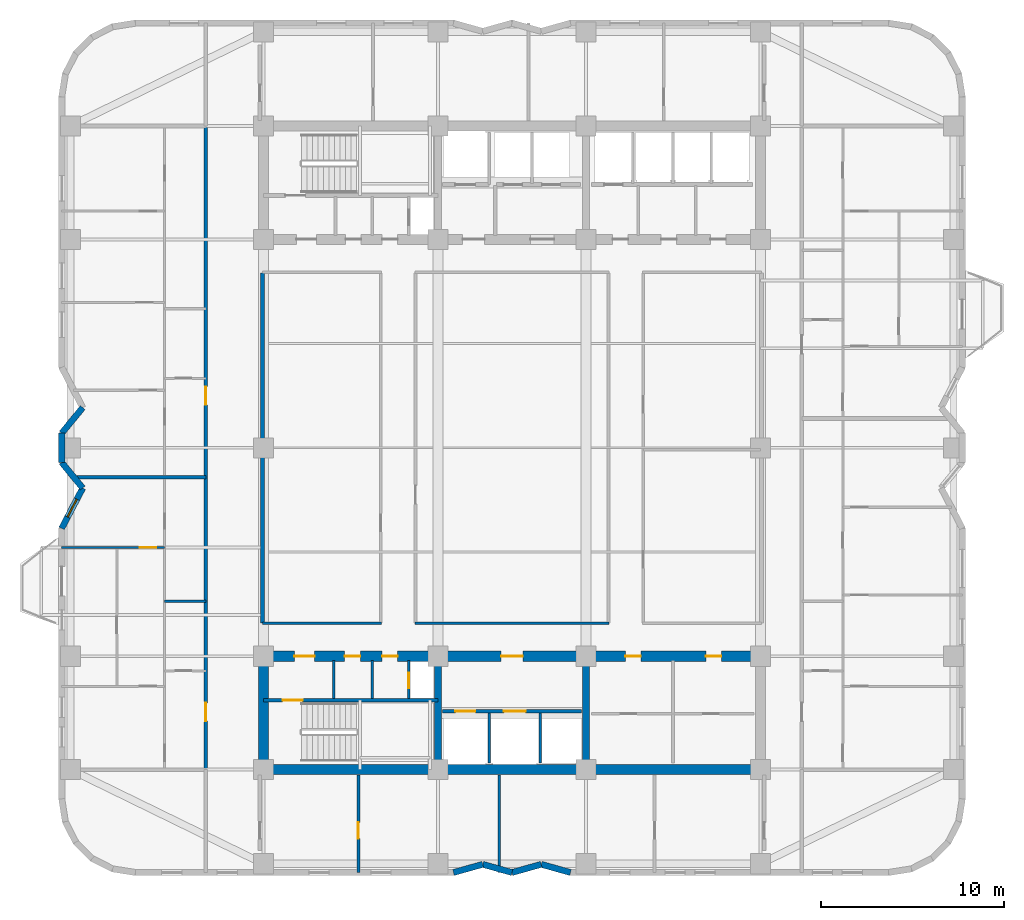
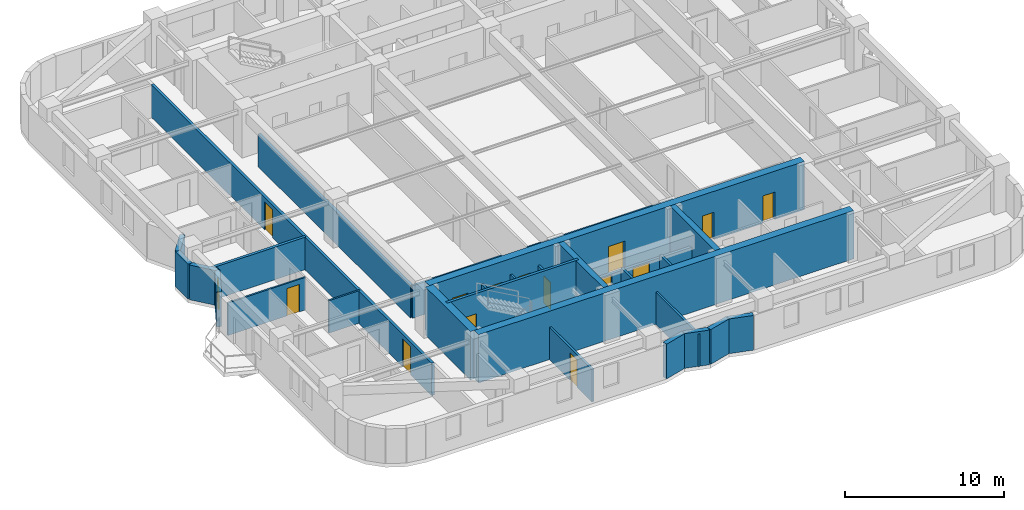
# One storey, part 3 of 10: 29 walls, 14 doors, 1 window, 15 openings.
"""IFC4 building model written with IfcOpenShell, lengths in metres."""

from ifc_helpers import new_model, si_unit, direction, frame, frame_2d, origin, place, context, subcontext, project, spatial, rectangle, extrude, material, layer, layer_set, type_object, element, fill, save


model = new_model("IFC4")

# Units and contexts
model_context = context("Model", 3, precision=1e-05, world=origin(), true_north=direction((0.0, 1.0)))
body_context = subcontext(model_context, "Body", "Model", "MODEL_VIEW")
ifc_project = project(units=[si_unit("LENGTHUNIT", "METRE"), si_unit("AREAUNIT", "SQUARE_METRE"), si_unit("VOLUMEUNIT", "CUBIC_METRE"), si_unit("PLANEANGLEUNIT", "RADIAN"), si_unit("MASSUNIT", "GRAM", prefix="KILO")], contexts=[model_context])

# Site, building, storey
site_placement = place(None, origin())
site = spatial("IfcSite", under=ifc_project, at=site_placement, CompositionType="ELEMENT")
building_placement = place(site_placement, origin())
building = spatial("IfcBuilding", under=site, at=building_placement, Name="Svetorya Sky Lyceum", CompositionType="ELEMENT")
storey_placement = place(building_placement, frame((0.0, 0.0, 132.699951171875)))
storey = spatial("IfcBuildingStorey", under=building, at=storey_placement, Name="L33", CompositionType="ELEMENT", Elevation=132.699951171875)

# Walls
ifc_material_1 = material(Name="Concrete C40/50", Category="concrete")
ifc_layer_1 = layer(ifc_material_1, 0.39990234375)
ifc_layer_set_1 = layer_set([ifc_layer_1], Name="Concrete C40/50")
wall_type_1 = type_object("IfcWallType", Name="WL-CORE-400", PredefinedType="SHEAR", material=ifc_layer_set_1)
for number, where, z_axis, x_axis, name in (
    (1, (35.14990234375, 10.875, 0.0), (0.0, 0.0, 1.0), (0.0, 1.0, 0.0), "L33 SC Internal Shear Web WEB1"),
    (2, (43.25, 10.875, 0.0), (0.0, 0.0, 1.0), (0.0, 1.0, 0.0), "L33 SC Internal Shear Web WEB2"),
):
    element("IfcWall", number, at=place(storey_placement, frame(where, z_axis=z_axis, x_axis=x_axis)), inside=storey, type_object=wall_type_1, Name=name, PredefinedType="SHEAR", context=body_context, shape_type="SweptSolid", body=[
        extrude(rectangle(XDim=5.64990234375, YDim=0.39990234375, at=frame_2d((2.824951171875, 0.0))), origin(), (0.0, 0.0, 1.0), 3.699951171875),
    ])
ifc_material_2 = material(Name="Concrete C60/75", Category="concrete")
ifc_layer_2 = layer(ifc_material_2, 0.550048828125)
ifc_layer_set_2 = layer_set([ifc_layer_2], Name="Concrete C60/75")
wall_type_2 = type_object("IfcWallType", Name="WL-CORE-550", PredefinedType="SHEAR", material=ifc_layer_set_2)
wall_1_placement = place(storey_placement, frame((52.800048828125, 10.60009765625, 0.0), z_axis=(0.0, 0.0, 1.0), x_axis=(-1.0, 0.0, 0.0)))
element("IfcWall", 3, at=wall_1_placement, inside=storey, type_object=wall_type_2, Name="L33 SC Outer Core Shear Wall", PredefinedType="SHEAR", context=body_context, shape_type="SweptSolid", body=[
    extrude(rectangle(XDim=27.199951171875, YDim=0.550048828125, at=frame_2d((13.60009765625, 0.0))), origin(), (0.0, 0.0, 1.0), 3.699951171875),
])
wall_2_placement = place(storey_placement, frame((25.60009765625, 10.875, 0.0), z_axis=(0.0, 0.0, 1.0), x_axis=(0.0, 1.0, 0.0)))
element("IfcWall", 4, at=wall_2_placement, inside=storey, type_object=wall_type_2, Name="L33 SC West Core Shear Wall", PredefinedType="SHEAR", context=body_context, shape_type="SweptSolid", body=[
    extrude(rectangle(XDim=5.64990234375, YDim=0.550048828125, at=frame_2d((2.824951171875, 0.0))), origin(), (0.0, 0.0, 1.0), 3.699951171875),
])

# Wall, openings, doors
wall_3_placement = place(storey_placement, frame((25.60009765625, 16.800048828125, 0.0), z_axis=(0.0, 0.0, 1.0), x_axis=(1.0, 0.0, 0.0)))
wall_3 = element("IfcWall", 5, at=wall_3_placement, inside=storey, type_object=wall_type_2, Name="L33 SC Inner Core Shear Wall", PredefinedType="SHEAR", context=body_context, shape_type="SweptSolid", body=[
    extrude(rectangle(XDim=27.199951171875, YDim=0.550048828125, at=frame_2d((13.60009765625, 0.0))), origin(), (0.0, 0.0, 1.0), 3.699951171875),
])
opening_1_placement = place(wall_3_placement, frame((1.699951171875, 0.0, 0.0)))
opening_1 = element("IfcOpeningElement", 6, at=opening_1_placement, cuts=wall_3, Name="Opening D-ST1", PredefinedType="OPENING", context=body_context, shape_type="SweptSolid", body=[
    extrude(rectangle(XDim=1.10009765625, YDim=2.14990234375, at=frame_2d((0.550048828125, 1.074951171875))), frame((0.0, 0.284912109375, 0.0), z_axis=(0.0, -1.0, 0.0), x_axis=(1.0, 0.0, 0.0)), (0.0, 0.0, 1.0), 0.570068359375),
])
opening_2_placement = place(wall_3_placement, frame((4.449951171875, 0.0, 0.0)))
opening_2 = element("IfcOpeningElement", 7, at=opening_2_placement, cuts=wall_3, Name="Opening D-CWC1", PredefinedType="OPENING", context=body_context, shape_type="SweptSolid", body=[
    extrude(rectangle(XDim=0.85009765625, YDim=2.10009765625, at=frame_2d((0.425048828125, 1.050048828125))), frame((0.0, 0.284912109375, 0.0), z_axis=(0.0, -1.0, 0.0), x_axis=(1.0, 0.0, 0.0)), (0.0, 0.0, 1.0), 0.570068359375),
])
opening_3_placement = place(wall_3_placement, frame((6.5, 0.0, 0.0)))
opening_3 = element("IfcOpeningElement", 8, at=opening_3_placement, cuts=wall_3, Name="Opening D-CWC1", PredefinedType="OPENING", context=body_context, shape_type="SweptSolid", body=[
    extrude(rectangle(XDim=0.85009765625, YDim=2.10009765625, at=frame_2d((0.425048828125, 1.050048828125))), frame((0.0, 0.284912109375, 0.0), z_axis=(0.0, -1.0, 0.0), x_axis=(1.0, 0.0, 0.0)), (0.0, 0.0, 1.0), 0.570068359375),
])
opening_4_placement = place(wall_3_placement, frame((13.0, 0.0, 0.0)))
opening_4 = element("IfcOpeningElement", 9, at=opening_4_placement, cuts=wall_3, Name="Opening D-FL1", PredefinedType="OPENING", context=body_context, shape_type="SweptSolid", body=[
    extrude(rectangle(XDim=1.199951171875, YDim=2.14990234375, at=frame_2d((0.60009765625, 1.074951171875))), frame((0.0, 0.284912109375, 0.0), z_axis=(0.0, -1.0, 0.0), x_axis=(1.0, 0.0, 0.0)), (0.0, 0.0, 1.0), 0.570068359375),
])
opening_5_placement = place(wall_3_placement, frame((19.800048828125, 0.0, 0.0)))
opening_5 = element("IfcOpeningElement", 10, at=opening_5_placement, cuts=wall_3, Name="Opening D-CWC1", PredefinedType="OPENING", context=body_context, shape_type="SweptSolid", body=[
    extrude(rectangle(XDim=0.85009765625, YDim=2.10009765625, at=frame_2d((0.425048828125, 1.050048828125))), frame((0.0, 0.284912109375, 0.0), z_axis=(0.0, -1.0, 0.0), x_axis=(1.0, 0.0, 0.0)), (0.0, 0.0, 1.0), 0.570068359375),
])
opening_6_placement = place(wall_3_placement, frame((24.199951171875, 0.0, 0.0)))
opening_6 = element("IfcOpeningElement", 11, at=opening_6_placement, cuts=wall_3, Name="Opening D-CWC1", PredefinedType="OPENING", context=body_context, shape_type="SweptSolid", body=[
    extrude(rectangle(XDim=0.85009765625, YDim=2.10009765625, at=frame_2d((0.425048828125, 1.050048828125))), frame((0.0, 0.284912109375, 0.0), z_axis=(0.0, -1.0, 0.0), x_axis=(1.0, 0.0, 0.0)), (0.0, 0.0, 1.0), 0.570068359375),
])
ifc_material_3 = material(Name="Fire-rated galvanized steel core service closet door", Category="steel")
door_type_1 = type_object("IfcDoorType", Name="DR-CWET-850", OperationType="SINGLE_SWING_LEFT", PredefinedType="DOOR", material=ifc_material_3)
door_1_placement = place(opening_2_placement, origin())
door_1 = element("IfcDoor", 12, at=door_1_placement, inside=storey, type_object=door_type_1, Name="L33 South Mop Closet Door", OperationType="SINGLE_SWING_LEFT", OverallHeight=2.10009765625, OverallWidth=0.85009765625, PredefinedType="DOOR", context=body_context, shape_type="SweptSolid", body=[
    extrude(rectangle(XDim=0.85009765625, YDim=2.10009765625, at=frame_2d((0.425048828125, 1.050048828125))), frame((0.0, 0.02490234375, 0.0), z_axis=(0.0, -1.0, 0.0), x_axis=(1.0, 0.0, 0.0)), (0.0, 0.0, 1.0), 0.050048828125),
])
fill(opening_2, door_1)
door_2_placement = place(opening_3_placement, origin())
door_2 = element("IfcDoor", 13, at=door_2_placement, inside=storey, type_object=door_type_1, Name="L33 South West WC Door", OperationType="SINGLE_SWING_RIGHT", OverallHeight=2.10009765625, OverallWidth=0.85009765625, PredefinedType="DOOR", context=body_context, shape_type="SweptSolid", body=[
    extrude(rectangle(XDim=0.85009765625, YDim=2.10009765625, at=frame_2d((0.425048828125, 1.050048828125))), frame((0.0, 0.02490234375, 0.0), z_axis=(0.0, -1.0, 0.0), x_axis=(1.0, 0.0, 0.0)), (0.0, 0.0, 1.0), 0.050048828125),
])
fill(opening_3, door_2)
door_3_placement = place(opening_5_placement, origin())
door_3 = element("IfcDoor", 14, at=door_3_placement, inside=storey, type_object=door_type_1, Name="L33 Housekeeping Door", OperationType="SINGLE_SWING_LEFT", OverallHeight=2.10009765625, OverallWidth=0.85009765625, PredefinedType="DOOR", context=body_context, shape_type="SweptSolid", body=[
    extrude(rectangle(XDim=0.85009765625, YDim=2.10009765625, at=frame_2d((0.425048828125, 1.050048828125))), frame((0.0, 0.02490234375, 0.0), z_axis=(0.0, -1.0, 0.0), x_axis=(1.0, 0.0, 0.0)), (0.0, 0.0, 1.0), 0.050048828125),
])
fill(opening_5, door_3)
door_4_placement = place(opening_6_placement, origin())
door_4 = element("IfcDoor", 15, at=door_4_placement, inside=storey, type_object=door_type_1, Name="L33 South WC Door", OperationType="SINGLE_SWING_RIGHT", OverallHeight=2.10009765625, OverallWidth=0.85009765625, PredefinedType="DOOR", context=body_context, shape_type="SweptSolid", body=[
    extrude(rectangle(XDim=0.85009765625, YDim=2.10009765625, at=frame_2d((0.425048828125, 1.050048828125))), frame((0.0, 0.02490234375, 0.0), z_axis=(0.0, -1.0, 0.0), x_axis=(1.0, 0.0, 0.0)), (0.0, 0.0, 1.0), 0.050048828125),
])
fill(opening_6, door_4)
ifc_material_4 = material(Name="Powder-coated insulated galvanized stair fire door")
door_type_2 = type_object("IfcDoorType", Name="DR-FIRE-1100", OperationType="SINGLE_SWING_LEFT", PredefinedType="DOOR", material=ifc_material_4)
door_5_placement = place(opening_1_placement, origin())
door_5 = element("IfcDoor", 16, at=door_5_placement, inside=storey, type_object=door_type_2, Name="L33 South Stair Airlock Door", OperationType="SINGLE_SWING_RIGHT", OverallHeight=2.14990234375, OverallWidth=1.10009765625, PredefinedType="DOOR", context=body_context, shape_type="SweptSolid", body=[
    extrude(rectangle(XDim=1.10009765625, YDim=2.14990234375, at=frame_2d((0.550048828125, 1.074951171875))), frame((0.0, 0.02490234375, 0.0), z_axis=(0.0, -1.0, 0.0), x_axis=(1.0, 0.0, 0.0)), (0.0, 0.0, 1.0), 0.050048828125),
])
fill(opening_1, door_5)
ifc_material_5 = material(Name="Powder-coated insulated galvanized fire door")
door_type_3 = type_object("IfcDoorType", Name="DR-FIRE-1200", OperationType="SINGLE_SWING_LEFT", PredefinedType="DOOR", material=ifc_material_5)
door_6_placement = place(opening_4_placement, origin())
door_6 = element("IfcDoor", 17, at=door_6_placement, inside=storey, type_object=door_type_3, Name="L33 South Firefighting Lift Lobby Door", OperationType="SINGLE_SWING_LEFT", OverallHeight=2.14990234375, OverallWidth=1.199951171875, PredefinedType="DOOR", context=body_context, shape_type="SweptSolid", body=[
    extrude(rectangle(XDim=1.199951171875, YDim=2.14990234375, at=frame_2d((0.60009765625, 1.074951171875))), frame((0.0, 0.02490234375, 0.0), z_axis=(0.0, -1.0, 0.0), x_axis=(1.0, 0.0, 0.0)), (0.0, 0.0, 1.0), 0.050048828125),
])
fill(opening_4, door_6)

# Walls
ifc_material_6 = material(Name="Putilovo limestone rainscreen on autoclaved cellular masonry", Category="masonry")
ifc_layer_3 = layer(ifc_material_6, 0.340087890625)
ifc_layer_set_3 = layer_set([ifc_layer_3], Name="Putilovo limestone rainscreen on autoclaved cellular masonry")
wall_type_3 = type_object("IfcWallType", Name="WL-EXT-340", PredefinedType="SOLIDWALL", material=ifc_layer_set_3)
wall_4_placement = place(storey_placement, frame((36.0, 4.969970703125, 0.0), z_axis=(0.0, 0.0, 1.0), x_axis=(0.962662902433, 0.270703040766, 0.0)))
element("IfcWall", 18, at=wall_4_placement, inside=storey, type_object=wall_type_3, Name="L33 Limestone Exterior Wall 7M", PredefinedType="SOLIDWALL", context=body_context, shape_type="SweptSolid", body=[
    extrude(rectangle(XDim=1.662109375, YDim=0.340087890625, at=frame_2d((0.8310546875, 0.0))), origin(), (0.0, 0.0, 1.0), 2.66015625),
])
wall_5_placement = place(storey_placement, frame((37.60009765625, 5.419921875, 0.0), z_axis=(0.0, 0.0, 1.0), x_axis=(0.962652136636, -0.270741322725, 0.0)))
element("IfcWall", 19, at=wall_5_placement, inside=storey, type_object=wall_type_3, Name="L33 Limestone Exterior Wall 8M", PredefinedType="SOLIDWALL", context=body_context, shape_type="SweptSolid", body=[
    extrude(rectangle(XDim=1.661865234375, YDim=0.340087890625, at=frame_2d((0.8310546875, 0.0))), origin(), (0.0, 0.0, 1.0), 2.66015625),
])
wall_6_placement = place(storey_placement, frame((39.199951171875, 4.969970703125, 0.0), z_axis=(0.0, 0.0, 1.0), x_axis=(0.962662902433, 0.270703040766, 0.0)))
element("IfcWall", 20, at=wall_6_placement, inside=storey, type_object=wall_type_3, Name="L33 Limestone Exterior Wall 9M", PredefinedType="SOLIDWALL", context=body_context, shape_type="SweptSolid", body=[
    extrude(rectangle(XDim=1.662109375, YDim=0.340087890625, at=frame_2d((0.8310546875, 0.0))), origin(), (0.0, 0.0, 1.0), 2.66015625),
])
wall_7_placement = place(storey_placement, frame((40.800048828125, 5.419921875, 0.0), z_axis=(0.0, 0.0, 1.0), x_axis=(0.962652136636, -0.270741322725, 0.0)))
element("IfcWall", 21, at=wall_7_placement, inside=storey, type_object=wall_type_3, Name="L33 Limestone Exterior Wall 10M", PredefinedType="SOLIDWALL", context=body_context, shape_type="SweptSolid", body=[
    extrude(rectangle(XDim=1.661865234375, YDim=0.340087890625, at=frame_2d((0.8310546875, 0.0))), origin(), (0.0, 0.0, 1.0), 2.66015625),
])
wall_8_placement = place(storey_placement, frame((15.719970703125, 30.39990234375, 0.0), z_axis=(0.0, 0.0, 1.0), x_axis=(-0.634733675645, -0.772730975827, 0.0)))
element("IfcWall", 22, at=wall_8_placement, inside=storey, type_object=wall_type_3, Name="L33 Limestone Exterior Wall 42M", PredefinedType="SOLIDWALL", context=body_context, shape_type="SweptSolid", body=[
    extrude(rectangle(XDim=1.8115234375, YDim=0.340087890625, at=frame_2d((0.90576171875, 0.0))), origin(), (0.0, 0.0, 1.0), 2.66015625),
])
wall_9_placement = place(storey_placement, frame((14.570068359375, 29.0, 0.0), z_axis=(0.0, 0.0, 1.0), x_axis=(0.0, -1.0, 0.0)))
element("IfcWall", 23, at=wall_9_placement, inside=storey, type_object=wall_type_3, Name="L33 Limestone Exterior Wall 43M", PredefinedType="SOLIDWALL", context=body_context, shape_type="SweptSolid", body=[
    extrude(rectangle(XDim=1.60009765625, YDim=0.340087890625, at=frame_2d((0.800048828125, 0.0))), origin(), (0.0, 0.0, 1.0), 2.66015625),
])
wall_10_placement = place(storey_placement, frame((14.570068359375, 27.39990234375, 0.0), z_axis=(0.0, 0.0, 1.0), x_axis=(0.634733675645, -0.772730975827, 0.0)))
element("IfcWall", 24, at=wall_10_placement, inside=storey, type_object=wall_type_3, Name="L33 Limestone Exterior Wall 44M", PredefinedType="SOLIDWALL", context=body_context, shape_type="SweptSolid", body=[
    extrude(rectangle(XDim=1.8115234375, YDim=0.340087890625, at=frame_2d((0.90576171875, 0.0))), origin(), (0.0, 0.0, 1.0), 2.66015625),
])

# Wall, opening, window
wall_11_placement = place(storey_placement, frame((15.719970703125, 26.0, 0.0), z_axis=(0.0, 0.0, 1.0), x_axis=(-0.46323138706, -0.886237373418, 0.0)))
wall_11 = element("IfcWall", 25, at=wall_11_placement, inside=storey, type_object=wall_type_3, Name="L33 Limestone Exterior Wall 45M", PredefinedType="SOLIDWALL", context=body_context, shape_type="SweptSolid", body=[
    extrude(rectangle(XDim=2.482421875, YDim=0.340087890625, at=frame_2d((1.2412109375, 0.0))), origin(), (0.0, 0.0, 1.0), 2.66015625),
])
opening_7_placement = place(wall_11_placement, frame((0.691162109375, 0.0, 0.85009765625)))
opening_7 = element("IfcOpeningElement", 26, at=opening_7_placement, cuts=wall_11, Name="Opening W-R3", PredefinedType="OPENING", context=body_context, shape_type="SweptSolid", body=[
    extrude(rectangle(XDim=1.10009765625, YDim=1.64990234375, at=frame_2d((0.550048828125, 0.824951171875))), frame((0.0, 0.179931640625, 0.0), z_axis=(0.0, -1.0, 0.0), x_axis=(1.0, 0.0, 0.0)), (0.0, 0.0, 1.0), 0.360107421875),
])
ifc_material_7 = material(Name="Thermally broken aluminium frame with triple low-E glazing", Category="aluminium")
window_type = type_object("IfcWindowType", Name="WN-RES-110", PartitioningType="SINGLE_PANEL", PredefinedType="WINDOW", material=ifc_material_7)
window_placement = place(opening_7_placement, origin())
window = element("IfcWindow", 27, at=window_placement, inside=storey, type_object=window_type, Name="L33 Facade Window W-R3.45M.1", OverallHeight=1.64990234375, OverallWidth=1.10009765625, PartitioningType="SINGLE_PANEL", PredefinedType="WINDOW", context=body_context, shape_type="SweptSolid", body=[
    extrude(rectangle(XDim=1.10009765625, YDim=1.64990234375, at=frame_2d((0.550048828125, 0.824951171875))), frame((0.0, 0.030029296875, 0.0), z_axis=(0.0, -1.0, 0.0), x_axis=(1.0, 0.0, 0.0)), (0.0, 0.0, 1.0), 0.06005859375),
])
fill(opening_7, window)

# Wall, opening, door
ifc_material_8 = material(Name="Twin-stud galvanized framing with double fireboard", Category="gypsum")
ifc_layer_4 = layer(ifc_material_8, 0.1201171875)
ifc_layer_set_4 = layer_set([ifc_layer_4], Name="Twin-stud galvanized framing with double fireboard")
wall_type_4 = type_object("IfcWallType", Name="WL-PART-120", PredefinedType="PARTITIONING", material=ifc_layer_set_4)
wall_12_placement = place(storey_placement, frame((14.570068359375, 22.75, 0.0), z_axis=(0.0, 0.0, 1.0), x_axis=(1.0, 0.0, 0.0)))
wall_12 = element("IfcWall", 28, at=wall_12_placement, inside=storey, type_object=wall_type_4, Name="L33 Interior Partition W1-WL2", PredefinedType="PARTITIONING", context=body_context, shape_type="SweptSolid", body=[
    extrude(rectangle(XDim=5.6298828125, YDim=0.1201171875, at=frame_2d((2.81494140625, 0.0))), origin(), (0.0, 0.0, 1.0), 2.489990234375),
])
opening_8_placement = place(wall_12_placement, frame((4.280029296875, 0.0, 0.0)))
opening_8 = element("IfcOpeningElement", 29, at=opening_8_placement, cuts=wall_12, Name="Opening D-RM1", PredefinedType="OPENING", context=body_context, shape_type="SweptSolid", body=[
    extrude(rectangle(XDim=0.89990234375, YDim=2.10009765625, at=frame_2d((0.449951171875, 1.050048828125))), frame((0.0, 0.070068359375, 0.0), z_axis=(0.0, -1.0, 0.0), x_axis=(1.0, 0.0, 0.0)), (0.0, 0.0, 1.0), 0.14013671875),
])
ifc_material_9 = material(Name="Lacquered birch veneer internal door")
door_type_4 = type_object("IfcDoorType", Name="DR-INT-900", OperationType="SINGLE_SWING_LEFT", PredefinedType="DOOR", material=ifc_material_9)
door_7_placement = place(opening_8_placement, origin())
door_7 = element("IfcDoor", 30, at=door_7_placement, inside=storey, type_object=door_type_4, Name="Apartment W1 Bedroom 2 Door", OperationType="SINGLE_SWING_RIGHT", OverallHeight=2.10009765625, OverallWidth=0.89990234375, PredefinedType="DOOR", context=body_context, shape_type="SweptSolid", body=[
    extrude(rectangle(XDim=0.89990234375, YDim=2.10009765625, at=frame_2d((0.449951171875, 1.050048828125))), frame((0.0, 0.02490234375, 0.0), z_axis=(0.0, -1.0, 0.0), x_axis=(1.0, 0.0, 0.0)), (0.0, 0.0, 1.0), 0.050048828125),
])
fill(opening_8, door_7)

# Walls
ifc_material_10 = material(Name="Twin-stud galvanized framing with acoustic board", Category="gypsum")
ifc_layer_5 = layer(ifc_material_10, 0.135009765625)
ifc_layer_set_5 = layer_set([ifc_layer_5], Name="Twin-stud galvanized framing with acoustic board")
wall_type_5 = type_object("IfcWallType", Name="WL-PART-135", PredefinedType="PARTITIONING", material=ifc_layer_set_5)
wall_13_placement = place(storey_placement, frame((20.199951171875, 19.800048828125, 0.0), z_axis=(0.0, 0.0, 1.0), x_axis=(1.0, 0.0, 0.0)))
element("IfcWall", 31, at=wall_13_placement, inside=storey, type_object=wall_type_5, Name="L33 Interior Partition W1-WH2", PredefinedType="PARTITIONING", context=body_context, shape_type="SweptSolid", body=[
    extrude(rectangle(XDim=2.25, YDim=0.135009765625, at=frame_2d((1.125, 0.0))), origin(), (0.0, 0.0, 1.0), 2.489990234375),
])
ifc_material_11 = material(Name="Autoclaved cellular masonry blockwork with acoustic render", Category="masonry")
ifc_layer_6 = layer(ifc_material_11, 0.14990234375)
ifc_layer_set_6 = layer_set([ifc_layer_6], Name="Autoclaved cellular masonry blockwork with acoustic render")
wall_type_6 = type_object("IfcWallType", Name="WL-PART-150", PredefinedType="PARTITIONING", material=ifc_layer_set_6)
for number, where, z_axis, x_axis, name in (
    (32, (29.449951171875, 14.5, 0.0), (0.0, 0.0, 1.0), (0.0, 1.0, 0.0), "L33 Interior Partition SC-SWD1"),
    (33, (31.550048828125, 14.5, 0.0), (0.0, 0.0, 1.0), (0.0, 1.0, 0.0), "L33 Interior Partition SC-SWD2"),
):
    element("IfcWall", number, at=place(storey_placement, frame(where, z_axis=z_axis, x_axis=x_axis)), inside=storey, type_object=wall_type_6, Name=name, PredefinedType="PARTITIONING", context=body_context, shape_type="SweptSolid", body=[
        extrude(rectangle(XDim=2.080078125, YDim=0.14990234375, at=frame_2d((1.0400390625, 0.0))), origin(), (0.0, 0.0, 1.0), 2.489990234375),
    ])

# Wall, opening, door
wall_14_placement = place(storey_placement, frame((33.550048828125, 14.5, 0.0), z_axis=(0.0, 0.0, 1.0), x_axis=(0.0, 1.0, 0.0)))
wall_14 = element("IfcWall", 34, at=wall_14_placement, inside=storey, type_object=wall_type_6, Name="L33 Interior Partition SC-SWD3", PredefinedType="PARTITIONING", context=body_context, shape_type="SweptSolid", body=[
    extrude(rectangle(XDim=2.080078125, YDim=0.14990234375, at=frame_2d((1.0400390625, 0.0))), origin(), (0.0, 0.0, 1.0), 2.489990234375),
])
opening_9_placement = place(wall_14_placement, frame((0.550048828125, 0.0, 0.0)))
opening_9 = element("IfcOpeningElement", 35, at=opening_9_placement, cuts=wall_14, Name="Opening D-SH1", PredefinedType="OPENING", context=body_context, shape_type="SweptSolid", body=[
    extrude(rectangle(XDim=0.85009765625, YDim=2.050048828125, at=frame_2d((0.425048828125, 1.02490234375))), frame((0.0, 0.0849609375, 0.0), z_axis=(0.0, -1.0, 0.0), x_axis=(1.0, 0.0, 0.0)), (0.0, 0.0, 1.0), 0.169921875),
])
ifc_material_12 = material(Name="Insulated galvanized riser inspection fire door")
door_type_5 = type_object("IfcDoorType", Name="DR-SHFT-850", OperationType="SINGLE_SWING_LEFT", PredefinedType="TRAPDOOR", material=ifc_material_12)
door_8_placement = place(opening_9_placement, origin())
door_8 = element("IfcDoor", 36, at=door_8_placement, inside=storey, type_object=door_type_5, Name="L33 South Riser Access Door", OperationType="SINGLE_SWING_RIGHT", OverallHeight=2.050048828125, OverallWidth=0.85009765625, PredefinedType="TRAPDOOR", context=body_context, shape_type="SweptSolid", body=[
    extrude(rectangle(XDim=0.85009765625, YDim=2.050048828125, at=frame_2d((0.425048828125, 1.02490234375))), frame((0.0, 0.02490234375, 0.0), z_axis=(0.0, -1.0, 0.0), x_axis=(1.0, 0.0, 0.0)), (0.0, 0.0, 1.0), 0.050048828125),
])
fill(opening_9, door_8)

# Walls
for number, where, z_axis, x_axis, name in (
    (37, (37.949951171875, 10.949951171875, 0.0), (0.0, 0.0, 1.0), (0.0, 1.0, 0.0), "L33 Interior Partition SC-SHD1"),
    (38, (40.75, 10.949951171875, 0.0), (0.0, 0.0, 1.0), (0.0, 1.0, 0.0), "L33 Interior Partition SC-SHD2"),
):
    element("IfcWall", number, at=place(storey_placement, frame(where, z_axis=z_axis, x_axis=x_axis)), inside=storey, type_object=wall_type_6, Name=name, PredefinedType="PARTITIONING", context=body_context, shape_type="SweptSolid", body=[
        extrude(rectangle(XDim=2.75, YDim=0.14990234375, at=frame_2d((1.375, 0.0))), origin(), (0.0, 0.0, 1.0), 2.489990234375),
    ])
wall_15_placement = place(storey_placement, frame((25.550048828125, 18.60009765625, 0.0), z_axis=(0.0, 0.0, 1.0), x_axis=(1.0, 0.0, 0.0)))
element("IfcWall", 39, at=wall_15_placement, inside=storey, type_object=wall_type_6, Name="L33 Interior Partition RL-CS-W", PredefinedType="PARTITIONING", context=body_context, shape_type="SweptSolid", body=[
    extrude(rectangle(XDim=6.5, YDim=0.14990234375, at=frame_2d((3.25, 0.0))), origin(), (0.0, 0.0, 1.0), 2.489990234375),
])
wall_16_placement = place(storey_placement, frame((33.89990234375, 18.60009765625, 0.0), z_axis=(0.0, 0.0, 1.0), x_axis=(1.0, 0.0, 0.0)))
element("IfcWall", 40, at=wall_16_placement, inside=storey, type_object=wall_type_6, Name="L33 Interior Partition RL-CS-M", PredefinedType="PARTITIONING", context=body_context, shape_type="SweptSolid", body=[
    extrude(rectangle(XDim=10.60009765625, YDim=0.14990234375, at=frame_2d((5.300048828125, 0.0))), origin(), (0.0, 0.0, 1.0), 2.489990234375),
])

# Wall, opening, door
wall_17_placement = place(storey_placement, frame((30.800048828125, 4.969970703125, 0.0), z_axis=(0.0, 0.0, 1.0), x_axis=(0.0, 1.0, 0.0)))
wall_17 = element("IfcWall", 41, at=wall_17_placement, inside=storey, type_object=wall_type_6, Name="L33 Interior Partition S4-D1", PredefinedType="PARTITIONING", context=body_context, shape_type="SweptSolid", body=[
    extrude(rectangle(XDim=5.330078125, YDim=0.14990234375, at=frame_2d((2.6650390625, 0.0))), origin(), (0.0, 0.0, 1.0), 2.489990234375),
])
opening_10_placement = place(wall_17_placement, frame((1.85009765625, 0.0, 0.0)))
opening_10 = element("IfcOpeningElement", 42, at=opening_10_placement, cuts=wall_17, Name="Opening D-RM1", PredefinedType="OPENING", context=body_context, shape_type="SweptSolid", body=[
    extrude(rectangle(XDim=0.89990234375, YDim=2.10009765625, at=frame_2d((0.449951171875, 1.050048828125))), frame((0.0, 0.0849609375, 0.0), z_axis=(0.0, -1.0, 0.0), x_axis=(1.0, 0.0, 0.0)), (0.0, 0.0, 1.0), 0.169921875),
])
door_9_placement = place(opening_10_placement, origin())
door_9 = element("IfcDoor", 43, at=door_9_placement, inside=storey, type_object=door_type_4, Name="L33 South Suite Door 1", OperationType="SINGLE_SWING_LEFT", OverallHeight=2.10009765625, OverallWidth=0.89990234375, PredefinedType="DOOR", context=body_context, shape_type="SweptSolid", body=[
    extrude(rectangle(XDim=0.89990234375, YDim=2.10009765625, at=frame_2d((0.449951171875, 1.050048828125))), frame((0.0, 0.02490234375, 0.0), z_axis=(0.0, -1.0, 0.0), x_axis=(1.0, 0.0, 0.0)), (0.0, 0.0, 1.0), 0.050048828125),
])
fill(opening_10, door_9)

# Wall
wall_18_placement = place(storey_placement, frame((38.5, 4.969970703125, 0.0), z_axis=(0.0, 0.0, 1.0), x_axis=(0.0, 1.0, 0.0)))
element("IfcWall", 44, at=wall_18_placement, inside=storey, type_object=wall_type_6, Name="L33 Interior Partition S4-D2", PredefinedType="PARTITIONING", context=body_context, shape_type="SweptSolid", body=[
    extrude(rectangle(XDim=5.330078125, YDim=0.14990234375, at=frame_2d((2.6650390625, 0.0))), origin(), (0.0, 0.0, 1.0), 2.489990234375),
])

# Wall, openings, doors
ifc_material_13 = material(Name="Autoclaved cellular masonry blockwork with gypsum plaster", Category="masonry")
ifc_layer_7 = layer(ifc_material_13, 0.199951171875)
ifc_layer_set_7 = layer_set([ifc_layer_7], Name="Autoclaved cellular masonry blockwork with gypsum plaster")
wall_type_7 = type_object("IfcWallType", Name="WL-PART-200", PredefinedType="PARTITIONING", material=ifc_layer_set_7)
wall_19_placement = place(storey_placement, frame((35.39990234375, 13.800048828125, 0.0), z_axis=(0.0, 0.0, 1.0), x_axis=(1.0, 0.0, 0.0)))
wall_19 = element("IfcWall", 45, at=wall_19_placement, inside=storey, type_object=wall_type_7, Name="L33 Interior Partition SC-FLW", PredefinedType="PARTITIONING", context=body_context, shape_type="SweptSolid", body=[
    extrude(rectangle(XDim=7.60009765625, YDim=0.199951171875, at=frame_2d((3.800048828125, 0.0))), origin(), (0.0, 0.0, 1.0), 2.260009765625),
])
opening_11_placement = place(wall_19_placement, frame((0.699951171875, 0.0, 0.0)))
opening_11 = element("IfcOpeningElement", 46, at=opening_11_placement, cuts=wall_19, Name="Opening LD-FL", PredefinedType="OPENING", context=body_context, shape_type="SweptSolid", body=[
    extrude(rectangle(XDim=1.10009765625, YDim=2.14990234375, at=frame_2d((0.550048828125, 1.074951171875))), frame((0.0, 0.10986328125, 0.0), z_axis=(0.0, -1.0, 0.0), x_axis=(1.0, 0.0, 0.0)), (0.0, 0.0, 1.0), 0.219970703125),
])
opening_12_placement = place(wall_19_placement, frame((3.35009765625, 0.0, 0.0)))
opening_12 = element("IfcOpeningElement", 47, at=opening_12_placement, cuts=wall_19, Name="Opening LD-SV", PredefinedType="OPENING", context=body_context, shape_type="SweptSolid", body=[
    extrude(rectangle(XDim=1.199951171875, YDim=2.14990234375, at=frame_2d((0.60009765625, 1.074951171875))), frame((0.0, 0.10986328125, 0.0), z_axis=(0.0, -1.0, 0.0), x_axis=(1.0, 0.0, 0.0)), (0.0, 0.0, 1.0), 0.219970703125),
])
ifc_material_14 = material(Name="Fire-rated stainless AISI 304 firefighting lift landing door")
door_type_6 = type_object("IfcDoorType", Name="DR-LIFT-1100", OperationType="SLIDING_TO_LEFT", PredefinedType="DOOR", material=ifc_material_14)
door_10_placement = place(opening_11_placement, origin())
door_10 = element("IfcDoor", 48, at=door_10_placement, inside=storey, type_object=door_type_6, Name="L33 Firefighting Lift FL2 Landing Door", OperationType="SLIDING_TO_LEFT", OverallHeight=2.14990234375, OverallWidth=1.10009765625, PredefinedType="DOOR", context=body_context, shape_type="SweptSolid", body=[
    extrude(rectangle(XDim=1.10009765625, YDim=2.14990234375, at=frame_2d((0.550048828125, 1.074951171875))), frame((0.0, 0.02490234375, 0.0), z_axis=(0.0, -1.0, 0.0), x_axis=(1.0, 0.0, 0.0)), (0.0, 0.0, 1.0), 0.050048828125),
])
fill(opening_11, door_10)
ifc_material_15 = material(Name="Brushed stainless AISI 304 telescopic lift landing door")
door_type_7 = type_object("IfcDoorType", Name="DR-LIFT-1200", OperationType="SLIDING_TO_LEFT", PredefinedType="DOOR", material=ifc_material_15)
door_11_placement = place(opening_12_placement, origin())
door_11 = element("IfcDoor", 49, at=door_11_placement, inside=storey, type_object=door_type_7, Name="L33 Service Lift SVL1 Landing Door", OperationType="SLIDING_TO_LEFT", OverallHeight=2.14990234375, OverallWidth=1.199951171875, PredefinedType="DOOR", context=body_context, shape_type="SweptSolid", body=[
    extrude(rectangle(XDim=1.199951171875, YDim=2.14990234375, at=frame_2d((0.60009765625, 1.074951171875))), frame((0.0, 0.02490234375, 0.0), z_axis=(0.0, -1.0, 0.0), x_axis=(1.0, 0.0, 0.0)), (0.0, 0.0, 1.0), 0.050048828125),
])
fill(opening_12, door_11)

# Walls
wall_20_placement = place(storey_placement, frame((25.550048828125, 18.6298828125, 0.0), z_axis=(0.0, 0.0, 1.0), x_axis=(0.0, 1.0, 0.0)))
element("IfcWall", 50, at=wall_20_placement, inside=storey, type_object=wall_type_7, Name="L33 Interior Partition W-CEN-SEP", PredefinedType="PARTITIONING", context=body_context, shape_type="SweptSolid", body=[
    extrude(rectangle(XDim=19.14013671875, YDim=0.199951171875, at=frame_2d((9.570068359375, 0.0))), origin(), (0.0, 0.0, 1.0), 2.489990234375),
])
wall_21_placement = place(storey_placement, frame((15.22705078125, 26.60009765625, 0.0), z_axis=(0.0, 0.0, 1.0), x_axis=(1.0, 0.0, 0.0)))
element("IfcWall", 51, at=wall_21_placement, inside=storey, type_object=wall_type_7, Name="L33 Interior Partition W-PARTY-1", PredefinedType="PARTITIONING", context=body_context, shape_type="SweptSolid", body=[
    extrude(rectangle(XDim=7.222900390625, YDim=0.199951171875, at=frame_2d((3.611328125, 0.0))), origin(), (0.0, 0.0, 1.0), 2.489990234375),
])

# Wall, openings, doors
wall_22_placement = place(storey_placement, frame((22.449951171875, 10.60009765625, 0.0), z_axis=(0.0, 0.0, 1.0), x_axis=(0.0, 1.0, 0.0)))
wall_22 = element("IfcWall", 52, at=wall_22_placement, inside=storey, type_object=wall_type_7, Name="L33 Interior Partition W-CORRW", PredefinedType="PARTITIONING", context=body_context, shape_type="SweptSolid", body=[
    extrude(rectangle(XDim=35.199951171875, YDim=0.199951171875, at=frame_2d((17.60009765625, 0.0))), origin(), (0.0, 0.0, 1.0), 2.489990234375),
])
opening_13_placement = place(wall_22_placement, frame((2.64990234375, 0.0, 0.0)))
opening_13 = element("IfcOpeningElement", 53, at=opening_13_placement, cuts=wall_22, Name="Opening D-APT1", PredefinedType="OPENING", context=body_context, shape_type="SweptSolid", body=[
    extrude(rectangle(XDim=1.0, YDim=2.14990234375, at=frame_2d((0.5, 1.074951171875))), frame((0.0, 0.10986328125, 0.0), z_axis=(0.0, -1.0, 0.0), x_axis=(1.0, 0.0, 0.0)), (0.0, 0.0, 1.0), 0.219970703125),
])
opening_14_placement = place(wall_22_placement, frame((19.949951171875, 0.0, 0.0)))
opening_14 = element("IfcOpeningElement", 54, at=opening_14_placement, cuts=wall_22, Name="Opening D-APT1", PredefinedType="OPENING", context=body_context, shape_type="SweptSolid", body=[
    extrude(rectangle(XDim=1.0, YDim=2.14990234375, at=frame_2d((0.5, 1.074951171875))), frame((0.0, 0.10986328125, 0.0), z_axis=(0.0, -1.0, 0.0), x_axis=(1.0, 0.0, 0.0)), (0.0, 0.0, 1.0), 0.219970703125),
])
ifc_material_16 = material(Name="Insulated oak-veneered apartment entrance door")
door_type_8 = type_object("IfcDoorType", Name="DR-APT-1000", OperationType="SINGLE_SWING_LEFT", PredefinedType="DOOR", material=ifc_material_16)
door_12_placement = place(opening_13_placement, origin())
door_12 = element("IfcDoor", 55, at=door_12_placement, inside=storey, type_object=door_type_8, Name="L33 Apartment W1 Entrance Door", OperationType="SINGLE_SWING_LEFT", OverallHeight=2.14990234375, OverallWidth=1.0, PredefinedType="DOOR", context=body_context, shape_type="SweptSolid", body=[
    extrude(rectangle(XDim=1.0, YDim=2.14990234375, at=frame_2d((0.5, 1.074951171875))), frame((0.0, 0.02490234375, 0.0), z_axis=(0.0, -1.0, 0.0), x_axis=(1.0, 0.0, 0.0)), (0.0, 0.0, 1.0), 0.050048828125),
])
fill(opening_13, door_12)
door_13_placement = place(opening_14_placement, origin())
door_13 = element("IfcDoor", 56, at=door_13_placement, inside=storey, type_object=door_type_8, Name="L33 Apartment W2 Entrance Door", OperationType="SINGLE_SWING_RIGHT", OverallHeight=2.14990234375, OverallWidth=1.0, PredefinedType="DOOR", context=body_context, shape_type="SweptSolid", body=[
    extrude(rectangle(XDim=1.0, YDim=2.14990234375, at=frame_2d((0.5, 1.074951171875))), frame((0.0, 0.02490234375, 0.0), z_axis=(0.0, -1.0, 0.0), x_axis=(1.0, 0.0, 0.0)), (0.0, 0.0, 1.0), 0.050048828125),
])
fill(opening_14, door_13)

# Wall, opening, door
ifc_material_17 = material(Name="Concrete C50/60", Category="concrete")
ifc_layer_8 = layer(ifc_material_17, 0.199951171875)
ifc_layer_set_8 = layer_set([ifc_layer_8], Name="Concrete C50/60")
wall_type_8 = type_object("IfcWallType", Name="WL-SHW-200", PredefinedType="SHEAR", material=ifc_layer_set_8)
wall_23_placement = place(storey_placement, frame((25.60009765625, 14.39990234375, 0.0), z_axis=(0.0, 0.0, 1.0), x_axis=(1.0, 0.0, 0.0)))
wall_23 = element("IfcWall", 57, at=wall_23_placement, inside=storey, type_object=wall_type_8, Name="L33 Structural Stair Shaft Wall SC-STW", PredefinedType="SHEAR", context=body_context, shape_type="SweptSolid", body=[
    extrude(rectangle(XDim=9.5498046875, YDim=0.199951171875, at=frame_2d((4.77490234375, 0.0))), origin(), (0.0, 0.0, 1.0), 3.699951171875),
])
opening_15_placement = place(wall_23_placement, frame((1.050048828125, 0.0, 0.0)))
opening_15 = element("IfcOpeningElement", 58, at=opening_15_placement, cuts=wall_23, Name="Opening D-ST1", PredefinedType="OPENING", context=body_context, shape_type="SweptSolid", body=[
    extrude(rectangle(XDim=1.10009765625, YDim=2.14990234375, at=frame_2d((0.550048828125, 1.074951171875))), frame((0.0, 0.10986328125, 0.0), z_axis=(0.0, -1.0, 0.0), x_axis=(1.0, 0.0, 0.0)), (0.0, 0.0, 1.0), 0.219970703125),
])
door_14_placement = place(opening_15_placement, origin())
door_14 = element("IfcDoor", 59, at=door_14_placement, inside=storey, type_object=door_type_2, Name="L33 Stair ST-S Vestibule Fire Door", OperationType="SINGLE_SWING_LEFT", OverallHeight=2.14990234375, OverallWidth=1.10009765625, PredefinedType="DOOR", context=body_context, shape_type="SweptSolid", body=[
    extrude(rectangle(XDim=1.10009765625, YDim=2.14990234375, at=frame_2d((0.550048828125, 1.074951171875))), frame((0.0, 0.02490234375, 0.0), z_axis=(0.0, -1.0, 0.0), x_axis=(1.0, 0.0, 0.0)), (0.0, 0.0, 1.0), 0.050048828125),
])
fill(opening_15, door_14)

save(model, "model.ifc")
